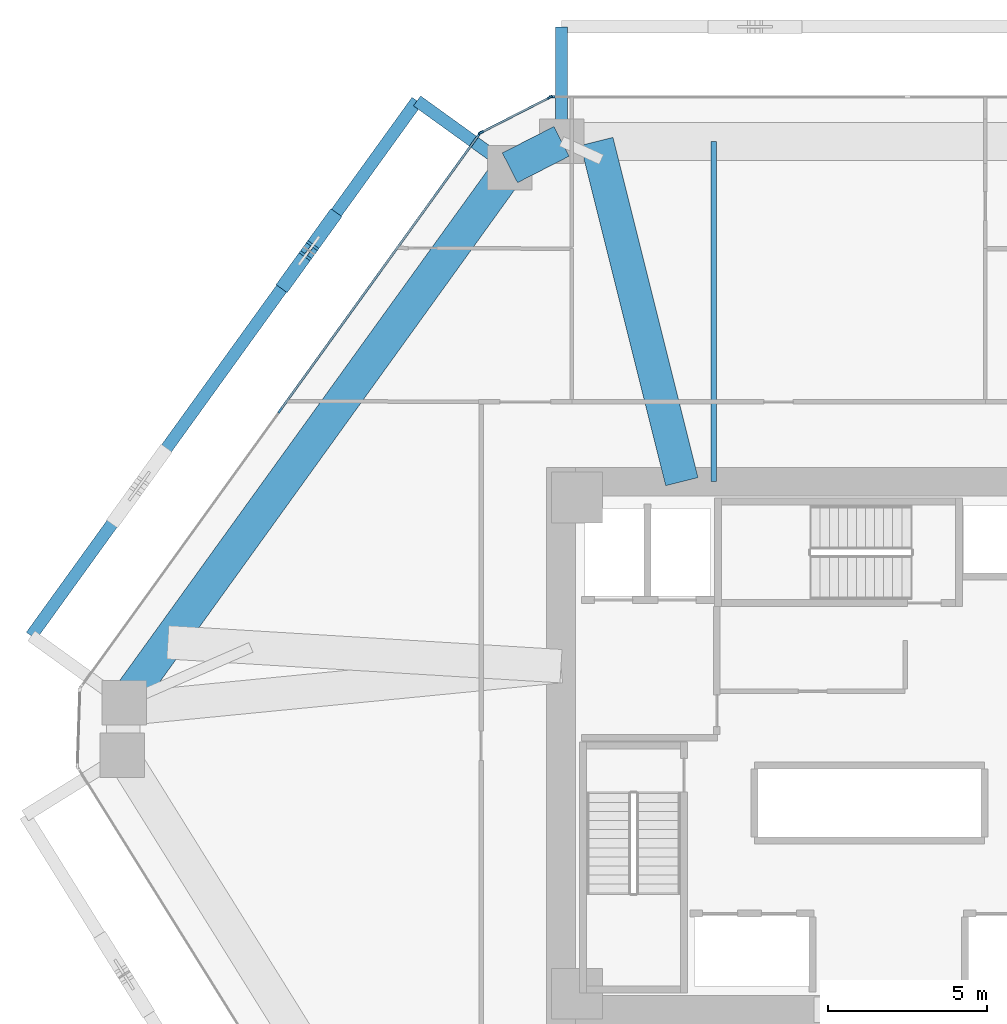
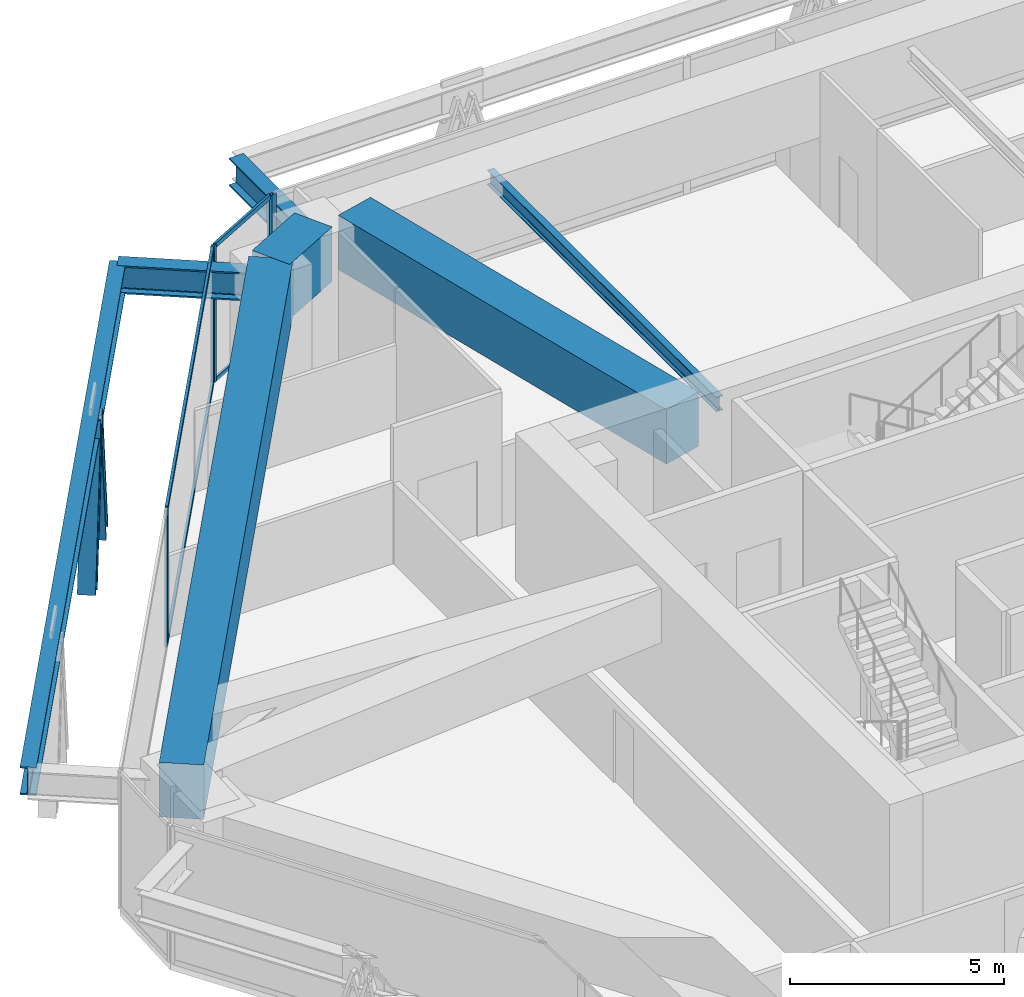
# One storey, part 7 of 16: 11 members, 7 beams, 3 elements without a shape of their own.
"""IFC4 building model written with IfcOpenShell, lengths in metres."""

from ifc_helpers import new_model, si_unit, direction, frame, origin, origin_2d, place, context, subcontext, project, spatial, rectangle, i_section, extrude, source, transform, mapped, material, layer, layer_set, material_profile, profile_set, type_object, type_shapes, element, aggregate, save


model = new_model("IFC4")

# Units and contexts
model_context = context("Model", 3, precision=1e-05, world=origin(), true_north=direction((0.0, 1.0)))
body_context = subcontext(model_context, "Body", "Model", "MODEL_VIEW")
ifc_project = project(units=[si_unit("LENGTHUNIT", "METRE"), si_unit("AREAUNIT", "SQUARE_METRE"), si_unit("VOLUMEUNIT", "CUBIC_METRE"), si_unit("PLANEANGLEUNIT", "RADIAN"), si_unit("MASSUNIT", "GRAM", prefix="KILO")], contexts=[model_context])

# Site, building, storey
site_placement = place(None, origin())
site = spatial("IfcSite", under=ifc_project, at=site_placement, CompositionType="ELEMENT")
building_placement = place(site_placement, origin())
building = spatial("IfcBuilding", under=site, at=building_placement, Name="Durnholm Broadcast Tower", CompositionType="ELEMENT")
storey_placement = place(building_placement, frame((0.0, 0.0, 84.300048828125)))
storey = spatial("IfcBuildingStorey", under=building, at=storey_placement, Name="L22", CompositionType="ELEMENT", Elevation=84.300048828125)

# Beams
ifc_material_1 = material(Name="Steel ASTM A992 Grade 50", Category="steel")
ifc_material_profile_1 = material_profile(ifc_material_1, i_section(OverallWidth=0.180908203125, OverallDepth=0.417236328125, WebThickness=0.010986328125, FlangeThickness=0.018310546875, FilletRadius=0.01904296875, at=origin_2d()), Name="W16X57")
ifc_profile_set_1 = profile_set([ifc_material_profile_1], Name="Steel ASTM A992 Grade 50")
beam_type_1 = type_object("IfcBeamType", Name="STL-BJ-W16X57", PredefinedType="JOIST", material=ifc_profile_set_1)
shared_shape_1 = source(origin(), body_context, "Body", "SweptSolid", [
    extrude(i_section(OverallWidth=0.180908203125, OverallDepth=0.417236328125, WebThickness=0.010986328125, FlangeThickness=0.018310546875, FilletRadius=0.01904296875, at=origin_2d()), origin(), (0.0, 0.0, 1.0), 10.699951171875),
])
type_shapes(beam_type_1, [shared_shape_1])
beam_1_placement = place(storey_placement, frame((-5.5, 8.300048828125, 3.47119140625), z_axis=(0.0, 1.0, 0.0), x_axis=(-1.0, 0.0, 0.0)))
element("IfcBeam", 1, at=beam_1_placement, inside=storey, type_object=beam_type_1, Name="L22 secondary floor joist 3.2", PredefinedType="JOIST", context=body_context, shape_type="MappedRepresentation", body=[
    mapped(shared_shape_1, transform((0.0, 0.0, 0.0), x_axis=(1.0, 0.0, 0.0), y_axis=(0.0, 1.0, 0.0), z_axis=(0.0, 0.0, 1.0), scale=1.0)),
])
ifc_material_profile_2 = material_profile(ifc_material_1, i_section(OverallWidth=0.385009765625, OverallDepth=0.802978515625, WebThickness=0.023681640625, FlangeThickness=0.0419921875, FilletRadius=0.032958984375, at=origin_2d()), Name="W30X261")
ifc_profile_set_2 = profile_set([ifc_material_profile_2], Name="Steel ASTM A992 Grade 50")
beam_type_2 = type_object("IfcBeamType", Name="BM-EXO-TIE", PredefinedType="USERDEFINED", material=ifc_profile_set_2)
shared_shape_2 = source(origin(), body_context, "Body", "SweptSolid", [
    extrude(i_section(OverallWidth=0.385009765625, OverallDepth=0.802978515625, WebThickness=0.023681640625, FlangeThickness=0.0419921875, FilletRadius=0.032958984375, at=origin_2d()), origin(), (0.0, 0.0, 1.0), 3.4560546875),
])
for number, where, z_axis, x_axis, name in (
    (2, (-10.28271484375, 19.14404296875, 3.1484375), (0.0, 1.0, 0.0), (-1.0, 0.0, 0.0), "L22 exoskeleton stand-off tie bracket F4.2"),
    (3, (-12.024169921875, 18.252685546875, 3.1484375), (-0.811157675106, 0.584827518262, 0.0), (-0.584827518262, -0.811157675106, 0.0), "L22 exoskeleton stand-off tie bracket F5.1"),
):
    element("IfcBeam", number, at=place(storey_placement, frame(where, z_axis=z_axis, x_axis=x_axis)), inside=storey, type_object=beam_type_2, Name=name, ObjectType="GIRDER", PredefinedType="USERDEFINED", context=body_context, shape_type="MappedRepresentation", body=[
        mapped(shared_shape_2, transform((0.0, 0.0, 0.0), x_axis=(1.0, 0.0, 0.0), y_axis=(0.0, 1.0, 0.0), z_axis=(0.0, 0.0, 1.0), scale=1.0)),
    ])
shared_shape_3 = source(origin(), body_context, "Body", "SweptSolid", [
    extrude(i_section(OverallWidth=0.385009765625, OverallDepth=0.802978515625, WebThickness=0.023681640625, FlangeThickness=0.0419921875, FilletRadius=0.032958984375, at=origin_2d()), origin(), (0.0, 0.0, 1.0), 20.737060546875),
])
type_shapes(beam_type_2, [shared_shape_2, shared_shape_3])
beam_2_placement = place(storey_placement, frame((-14.82763671875, 20.27392578125, 3.1484375), z_axis=(-0.5848163482, -0.811165728368, 0.0), x_axis=(0.811165728368, -0.5848163482, 0.0)))
element("IfcBeam", 4, at=beam_2_placement, inside=storey, type_object=beam_type_2, Name="L22 exoskeleton collector spandrel F5", PredefinedType="SPANDREL", context=body_context, shape_type="MappedRepresentation", body=[
    mapped(shared_shape_3, transform((0.0, 0.0, 0.0), x_axis=(1.0, 0.0, 0.0), y_axis=(0.0, 1.0, 0.0), z_axis=(0.0, 0.0, 1.0), scale=1.0)),
])
ifc_material_2 = material(Name="Concrete C70/85", Category="concrete")
ifc_material_profile_3 = material_profile(ifc_material_2, rectangle(XDim=1.050048828125, YDim=1.550048828125, at=origin_2d()), Name="RC1050X1550")
ifc_profile_set_3 = profile_set([ifc_material_profile_3], Name="Concrete C70/85")
beam_type_3 = type_object("IfcBeamType", Name="BM-TG-RC1550", PredefinedType="USERDEFINED", material=ifc_profile_set_3)
shared_shape_4 = source(origin(), body_context, "Body", "SweptSolid", [
    extrude(rectangle(XDim=1.050048828125, YDim=1.550048828125, at=origin_2d()), origin(), (0.0, 0.0, 1.0), 20.737060546875),
])
beam_3_placement = place(storey_placement, frame((-24.034912109375, 1.347412109375, 3.125), z_axis=(0.584821933191, 0.811161701795, 0.0), x_axis=(-0.811161701795, 0.584821933191, 0.0)))
element("IfcBeam", 5, at=beam_3_placement, inside=storey, type_object=beam_type_3, Name="L22 perimeter transfer spandrel girder 03", PredefinedType="SPANDREL", context=body_context, shape_type="MappedRepresentation", body=[
    mapped(shared_shape_4, transform((0.0, 0.0, 0.0), x_axis=(1.0, 0.0, 0.0), y_axis=(0.0, 1.0, 0.0), z_axis=(0.0, 0.0, 1.0), scale=1.0)),
])
shared_shape_5 = source(origin(), body_context, "Body", "SweptSolid", [
    extrude(rectangle(XDim=1.050048828125, YDim=1.550048828125, at=origin_2d()), origin(), (0.0, 0.0, 1.0), 1.8251953125),
])
beam_4_placement = place(storey_placement, frame((-11.907470703125, 18.16845703125, 3.125), z_axis=(0.890187609501, 0.455594139438, 0.0), x_axis=(-0.455594139438, 0.890187609501, 0.0)))
element("IfcBeam", 6, at=beam_4_placement, inside=storey, type_object=beam_type_3, Name="L22 perimeter transfer spandrel girder 04", PredefinedType="SPANDREL", context=body_context, shape_type="MappedRepresentation", body=[
    mapped(shared_shape_5, transform((0.0, 0.0, 0.0), x_axis=(1.0, 0.0, 0.0), y_axis=(0.0, 1.0, 0.0), z_axis=(0.0, 0.0, 1.0), scale=1.0)),
])
shared_shape_6 = source(origin(), body_context, "Body", "SweptSolid", [
    extrude(rectangle(XDim=1.050048828125, YDim=1.550048828125, at=origin_2d()), origin(), (0.0, 0.0, 1.0), 11.029296875),
])
type_shapes(beam_type_3, [shared_shape_4, shared_shape_5, shared_shape_6])
beam_5_placement = place(storey_placement, frame((-6.5, 8.300048828125, 3.125), z_axis=(-0.242519999723, 0.97014640634, 0.0), x_axis=(-0.97014640634, -0.242519999723, 0.0)))
element("IfcBeam", 7, at=beam_5_placement, inside=storey, type_object=beam_type_3, Name="L22 radial setback transfer girder 04", ObjectType="GIRDER", PredefinedType="USERDEFINED", context=body_context, shape_type="MappedRepresentation", body=[
    mapped(shared_shape_6, transform((0.0, 0.0, 0.0), x_axis=(1.0, 0.0, 0.0), y_axis=(0.0, 1.0, 0.0), z_axis=(0.0, 0.0, 1.0), scale=1.0)),
])

# Members
ifc_material_3 = material(Name="Steel ASTM A913 Grade 65", Category="steel")
ifc_material_profile_4 = material_profile(ifc_material_3, i_section(OverallWidth=0.43212890625, OverallDepth=0.497802734375, WebThickness=0.0556640625, FlangeThickness=0.0888671875, FilletRadius=0.030517578125, at=origin_2d()), Name="W14X500")
ifc_profile_set_4 = profile_set([ifc_material_profile_4], Name="Steel ASTM A913 Grade 65")
member_type_1 = type_object("IfcMemberType", Name="STL-DG-W14X500", PredefinedType="BRACE", material=ifc_profile_set_4)
shared_shape_7 = source(origin(), body_context, "Body", "SweptSolid", [
    extrude(i_section(OverallWidth=0.43212890625, OverallDepth=0.497802734375, WebThickness=0.0556640625, FlangeThickness=0.0888671875, FilletRadius=0.030517578125, at=origin_2d()), origin(), (0.0, 0.0, 1.0), 4.31982421875),
])
type_shapes(member_type_1, [shared_shape_7])
for number, where, z_axis, x_axis, name in (
    (8, (-17.501708984375, 16.564697265625, -0.991455078125), (-0.167061760729, -0.231659728426, 0.958344477903), (0.81109123444, -0.58491966065, 0.0), "L22 stand-off diagrid brace F5.D1.1"),
    (9, (-18.94482421875, 14.563232421875, -0.991455078125), (0.167006821139, 0.231661915346, 0.958353524891), (-0.811185111535, 0.584789461963, 0.0), "L22 stand-off diagrid brace F5.D1.2"),
):
    element("IfcMember", number, at=place(storey_placement, frame(where, z_axis=z_axis, x_axis=x_axis)), inside=storey, type_object=member_type_1, Name=name, PredefinedType="BRACE", context=body_context, shape_type="MappedRepresentation", body=[
        mapped(shared_shape_7, transform((0.0, 0.0, 0.0), x_axis=(1.0, 0.0, 0.0), y_axis=(0.0, 1.0, 0.0), z_axis=(0.0, 0.0, 1.0), scale=1.0)),
    ])

# Curtain wall, members
ifc_material_4 = material(Name="Aluminium and Solar Control IGU", Category="aluminium")
ifc_layer_1 = layer(ifc_material_4, 0.1650390625)
ifc_layer_set_1 = layer_set([ifc_layer_1], Name="Aluminium and Solar Control IGU")
curtain_wall_type_1 = type_object("IfcCurtainWallType", Name="CW-SYS-5", PredefinedType="NOTDEFINED", material=ifc_layer_set_1)
curtain_wall_1_placement = place(storey_placement, origin())
curtain_wall_1 = element("IfcCurtainWall", 10, at=curtain_wall_1_placement, inside=storey, type_object=curtain_wall_type_1, Name="L22 curtain wall CW-CORNER CW-L22-CRN-03", PredefinedType="NOTDEFINED")
ifc_material_5 = material(Name="Aluminium 6063-T6", Category="aluminium")
ifc_material_profile_5 = material_profile(ifc_material_5, rectangle(XDim=0.06494140625, YDim=0.1298828125, at=origin_2d()), Name="CWT65X130")
ifc_profile_set_5 = profile_set([ifc_material_profile_5], Name="Aluminium 6063-T6")
member_type_2 = type_object("IfcMemberType", Name="CW-SYS-5-TRN", PredefinedType="USERDEFINED", material=ifc_profile_set_5)
shared_shape_8 = source(origin(), body_context, "Body", "SweptSolid", [
    extrude(rectangle(XDim=0.06494140625, YDim=0.1298828125, at=origin_2d()), origin(), (0.0, 0.0, 1.0), 2.3701171875),
])
type_shapes(member_type_2, [shared_shape_8])
member_1_placement = place(storey_placement, frame((-12.787841796875, 19.29052734375, 0.032470703125), z_axis=(0.890185016934, 0.455599205033, 0.0), x_axis=(-0.455599205033, 0.890185016934, 0.0)))
member_1 = element("IfcMember", 11, at=member_1_placement, type_object=member_type_2, Name="CW-CORNER transom 1.1", ObjectType="TRANSOM", PredefinedType="USERDEFINED", context=body_context, shape_type="MappedRepresentation", body=[
    mapped(shared_shape_8, transform((0.0, 0.0, 0.0), x_axis=(1.0, 0.0, 0.0), y_axis=(0.0, 1.0, 0.0), z_axis=(0.0, 0.0, 1.0), scale=1.0)),
])
member_2_placement = place(storey_placement, frame((-12.787841796875, 19.29052734375, 3.867431640625), z_axis=(0.890185016934, 0.455599205033, 0.0), x_axis=(-0.455599205033, 0.890185016934, 0.0)))
member_2 = element("IfcMember", 12, at=member_2_placement, type_object=member_type_2, Name="CW-CORNER transom 1.2", ObjectType="TRANSOM", PredefinedType="USERDEFINED", context=body_context, shape_type="MappedRepresentation", body=[
    mapped(shared_shape_8, transform((0.0, 0.0, 0.0), x_axis=(1.0, 0.0, 0.0), y_axis=(0.0, 1.0, 0.0), z_axis=(0.0, 0.0, 1.0), scale=1.0)),
])

ifc_layer_2 = layer(ifc_material_4, 0.18994140625)
ifc_layer_set_2 = layer_set([ifc_layer_2], Name="Aluminium and Solar Control IGU")
curtain_wall_type_2 = type_object("IfcCurtainWallType", Name="CW-SYS-3", PredefinedType="NOTDEFINED", material=ifc_layer_set_2)
curtain_wall_2_placement = place(storey_placement, origin())
curtain_wall_2 = element("IfcCurtainWall", 13, at=curtain_wall_2_placement, inside=storey, type_object=curtain_wall_type_2, Name="L22 curtain wall CW-Z12-VIS CW-L22-F02", PredefinedType="NOTDEFINED")
ifc_material_profile_6 = material_profile(ifc_material_5, rectangle(XDim=0.070068359375, YDim=0.14990234375, at=origin_2d()), Name="CWT70X150")
ifc_profile_set_6 = profile_set([ifc_material_profile_6], Name="Aluminium 6063-T6")
member_type_3 = type_object("IfcMemberType", Name="CW-SYS-3-TRN", PredefinedType="USERDEFINED", material=ifc_profile_set_6)
shared_shape_9 = source(origin(), body_context, "Body", "SweptSolid", [
    extrude(rectangle(XDim=0.070068359375, YDim=0.14990234375, at=origin_2d()), origin(), (0.0, 0.0, 1.0), 10.645263671875),
])
type_shapes(member_type_3, [shared_shape_9])
member_3_placement = place(storey_placement, frame((-19.1123046875, 10.569091796875, 0.034912109375), z_axis=(0.584822983179, 0.811160944786, 0.0), x_axis=(-0.811160944786, 0.584822983179, 0.0)))
member_3 = element("IfcMember", 14, at=member_3_placement, type_object=member_type_3, Name="CW-Z12-VIS transom 2.1", ObjectType="TRANSOM", PredefinedType="USERDEFINED", context=body_context, shape_type="MappedRepresentation", body=[
    mapped(shared_shape_9, transform((0.0, 0.0, 0.0), x_axis=(1.0, 0.0, 0.0), y_axis=(0.0, 1.0, 0.0), z_axis=(0.0, 0.0, 1.0), scale=1.0)),
])
member_4_placement = place(storey_placement, frame((-19.1123046875, 10.569091796875, 3.864990234375), z_axis=(0.584822983179, 0.811160944786, 0.0), x_axis=(-0.811160944786, 0.584822983179, 0.0)))
member_4 = element("IfcMember", 15, at=member_4_placement, type_object=member_type_3, Name="CW-Z12-VIS transom 2.2", ObjectType="TRANSOM", PredefinedType="USERDEFINED", context=body_context, shape_type="MappedRepresentation", body=[
    mapped(shared_shape_9, transform((0.0, 0.0, 0.0), x_axis=(1.0, 0.0, 0.0), y_axis=(0.0, 1.0, 0.0), z_axis=(0.0, 0.0, 1.0), scale=1.0)),
])

# Member
ifc_material_profile_7 = material_profile(ifc_material_5, rectangle(XDim=0.06494140625, YDim=0.1650390625, at=origin_2d()), Name="CWM65X165")
ifc_profile_set_7 = profile_set([ifc_material_profile_7], Name="Aluminium 6063-T6")
member_type_4 = type_object("IfcMemberType", Name="CW-SYS-5-MUL", PredefinedType="MULLION", material=ifc_profile_set_7)
shared_shape_10 = source(origin(), body_context, "Body", "SweptSolid", [
    extrude(rectangle(XDim=0.06494140625, YDim=0.1650390625, at=origin_2d()), origin(), (0.0, 0.0, 1.0), 3.89990234375),
])
type_shapes(member_type_4, [shared_shape_10])
member_5_placement = place(storey_placement, frame((-12.816650390625, 19.27587890625, 0.0), z_axis=(0.0, 0.0, 1.0), x_axis=(-0.455593758406, 0.890187804512, 0.0)))
member_5 = element("IfcMember", 16, at=member_5_placement, type_object=member_type_4, Name="CW-CORNER mullion 1", PredefinedType="MULLION", context=body_context, shape_type="MappedRepresentation", body=[
    mapped(shared_shape_10, transform((0.0, 0.0, 0.0), x_axis=(1.0, 0.0, 0.0), y_axis=(0.0, 1.0, 0.0), z_axis=(0.0, 0.0, 1.0), scale=1.0)),
])

member_6_placement = place(storey_placement, frame((-10.649169921875, 20.38525390625, 0.0), z_axis=(0.0, 0.0, 1.0), x_axis=(-0.455593758406, 0.890187804512, 0.0)))
member_6 = element("IfcMember", 17, at=member_6_placement, type_object=member_type_4, Name="CW-CORNER mullion 2", PredefinedType="MULLION", context=body_context, shape_type="MappedRepresentation", body=[
    mapped(shared_shape_10, transform((0.0, 0.0, 0.0), x_axis=(1.0, 0.0, 0.0), y_axis=(0.0, 1.0, 0.0), z_axis=(0.0, 0.0, 1.0), scale=1.0)),
])

aggregate(curtain_wall_1, [member_5, member_6, member_1, member_2])

ifc_material_profile_8 = material_profile(ifc_material_5, rectangle(XDim=0.070068359375, YDim=0.18994140625, at=origin_2d()), Name="CWM70X190")
ifc_profile_set_8 = profile_set([ifc_material_profile_8], Name="Aluminium 6063-T6")
member_type_5 = type_object("IfcMemberType", Name="CW-SYS-3-MUL", PredefinedType="MULLION", material=ifc_profile_set_8)
shared_shape_11 = source(origin(), body_context, "Body", "SweptSolid", [
    extrude(rectangle(XDim=0.070068359375, YDim=0.18994140625, at=origin_2d()), origin(), (0.0, 0.0, 1.0), 3.89990234375),
])
type_shapes(member_type_5, [shared_shape_11])
member_7_placement = place(storey_placement, frame((-19.1328125, 10.540771484375, 0.0), z_axis=(0.0, 0.0, 1.0), x_axis=(-0.81116057493, 0.584823496176, 0.0)))
member_7 = element("IfcMember", 18, at=member_7_placement, type_object=member_type_5, Name="CW-Z12-VIS mullion 2", PredefinedType="MULLION", context=body_context, shape_type="MappedRepresentation", body=[
    mapped(shared_shape_11, transform((0.0, 0.0, 0.0), x_axis=(1.0, 0.0, 0.0), y_axis=(0.0, 1.0, 0.0), z_axis=(0.0, 0.0, 1.0), scale=1.0)),
])

member_8_placement = place(storey_placement, frame((-12.8662109375, 19.232666015625, 0.0), z_axis=(0.0, 0.0, 1.0), x_axis=(-0.81116057493, 0.584823496176, 0.0)))
member_8 = element("IfcMember", 19, at=member_8_placement, type_object=member_type_5, Name="CW-Z12-VIS mullion 3", PredefinedType="MULLION", context=body_context, shape_type="MappedRepresentation", body=[
    mapped(shared_shape_11, transform((0.0, 0.0, 0.0), x_axis=(1.0, 0.0, 0.0), y_axis=(0.0, 1.0, 0.0), z_axis=(0.0, 0.0, 1.0), scale=1.0)),
])

aggregate(curtain_wall_2, [member_7, member_8, member_3, member_4])

# Curtain wall, member
curtain_wall_3_placement = place(storey_placement, origin())
curtain_wall_3 = element("IfcCurtainWall", 20, at=curtain_wall_3_placement, inside=storey, type_object=curtain_wall_type_2, Name="L22 curtain wall CW-Z12-VIS CW-L22-F04", PredefinedType="NOTDEFINED")
member_9_placement = place(storey_placement, frame((-10.585205078125, 20.39990234375, 0.0), z_axis=(0.0, 0.0, 1.0), x_axis=(0.0, 1.0, 0.0)))
member_9 = element("IfcMember", 21, at=member_9_placement, type_object=member_type_5, Name="CW-Z12-VIS mullion 1", PredefinedType="MULLION", context=body_context, shape_type="MappedRepresentation", body=[
    mapped(shared_shape_11, transform((0.0, 0.0, 0.0), x_axis=(1.0, 0.0, 0.0), y_axis=(0.0, 1.0, 0.0), z_axis=(0.0, 0.0, 1.0), scale=1.0)),
])
aggregate(curtain_wall_3, [member_9])

save(model, "model.ifc")
